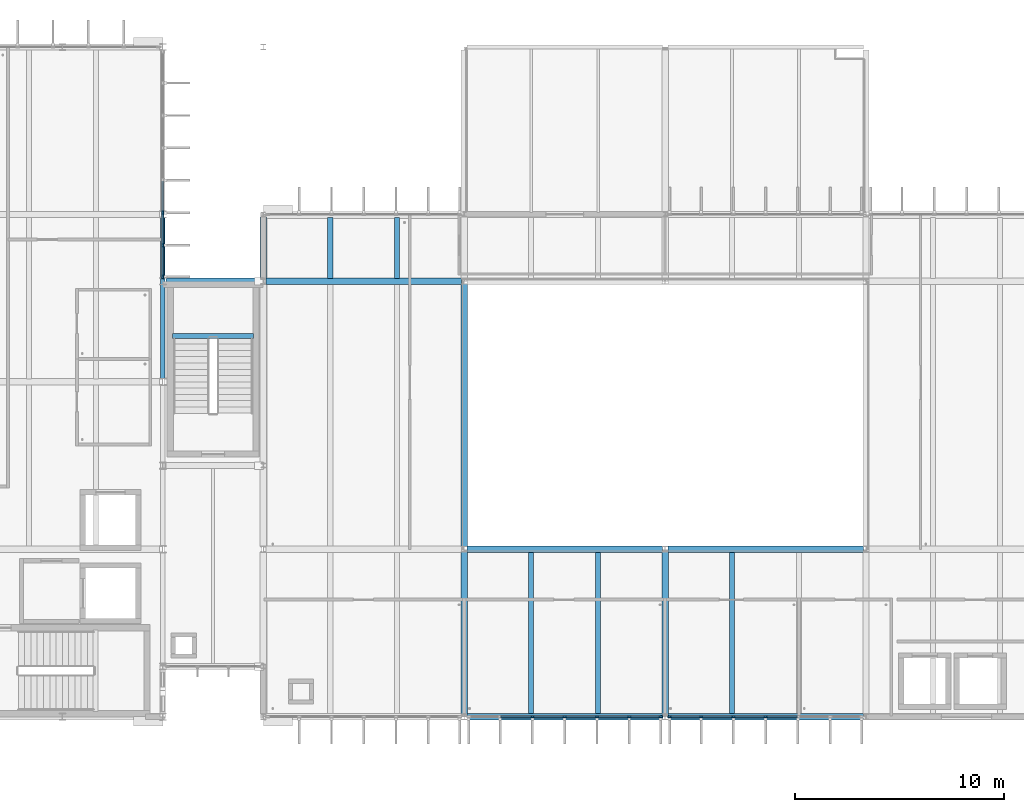
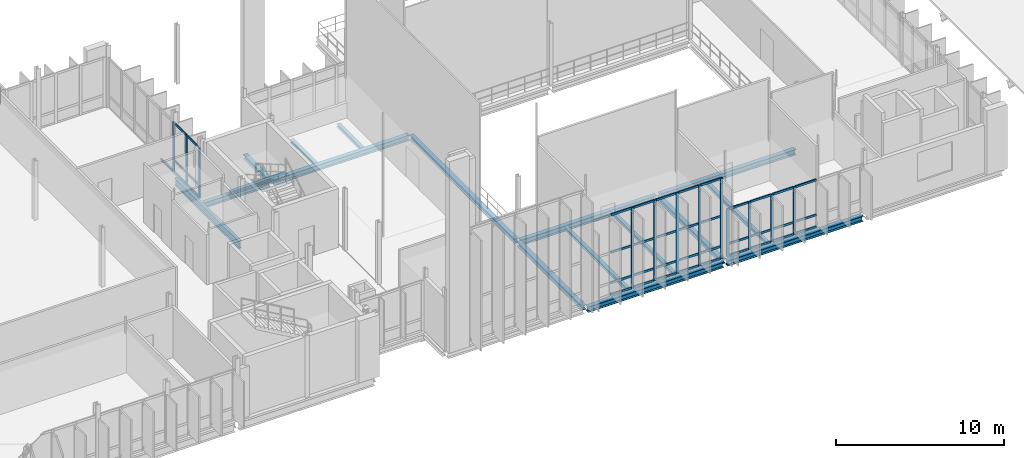
# One storey, part 11 of 41: 51 members, 17 beams, 3 elements without a shape of their own.
"""IFC4 building model written with IfcOpenShell, lengths in metres."""

from ifc_helpers import new_model, si_unit, direction, frame, origin, origin_2d, place, context, subcontext, project, spatial, rectangle, i_section, extrude, material, material_profile, profile_set, type_object, element, aggregate, save


model = new_model("IFC4")

# Units and contexts
model_context = context("Model", 3, precision=1e-05, world=origin(), true_north=direction((0.0, 1.0)))
body_context = subcontext(model_context, "Body", "Model", "MODEL_VIEW")
ifc_project = project(units=[si_unit("LENGTHUNIT", "METRE"), si_unit("AREAUNIT", "SQUARE_METRE"), si_unit("VOLUMEUNIT", "CUBIC_METRE"), si_unit("PLANEANGLEUNIT", "RADIAN"), si_unit("MASSUNIT", "GRAM", prefix="KILO")], contexts=[model_context])

# Site, building, storey
site_placement = place(None, origin())
site = spatial("IfcSite", under=ifc_project, at=site_placement, CompositionType="ELEMENT")
building_placement = place(site_placement, origin())
building = spatial("IfcBuilding", under=site, at=building_placement, Name="Dunescarp Central Library", CompositionType="ELEMENT")
storey_placement = place(building_placement, frame((0.0, 0.0, 23.10009765625)))
storey = spatial("IfcBuildingStorey", under=building, at=storey_placement, Name="L05", CompositionType="ELEMENT", Elevation=23.10009765625)

# Curtain wall, members
ifc_material_1 = material(Name="Marine-grade anodised aluminium 6063-T6", Category="aluminium")
curtain_wall_type = type_object("IfcCurtainWallType", Name="ARC-CW-STICK", PredefinedType="NOTDEFINED", material=ifc_material_1)
curtain_wall_1_placement = place(storey_placement, origin())
curtain_wall_1 = element("IfcCurtainWall", 1, at=curtain_wall_1_placement, inside=storey, type_object=curtain_wall_type, Name="L05 curtain wall CW-V1-037", PredefinedType="NOTDEFINED")
ifc_material_profile_1 = material_profile(ifc_material_1, rectangle(XDim=0.080078125, YDim=0.179931640625, at=origin_2d()), Name="AL 80x180")
ifc_profile_set_1 = profile_set([ifc_material_profile_1], Name="Marine-grade anodised aluminium 6063-T6")
member_type_1 = type_object("IfcMemberType", Name="ARC-CWM-180", PredefinedType="MULLION", material=ifc_profile_set_1)
member_1_placement = place(storey_placement, frame((33.60009765625, 28.875, 0.0), z_axis=(0.0, 0.0, 1.0), x_axis=(1.0, 0.0, 0.0)))
member_1 = element("IfcMember", 2, at=member_1_placement, type_object=member_type_1, Name="CW-V1-037 mullion 6", PredefinedType="MULLION", context=body_context, shape_type="SweptSolid", body=[
    extrude(rectangle(XDim=0.080078125, YDim=0.179931640625, at=origin_2d()), origin(), (0.0, 0.0, 1.0), 3.65283203125),
])
member_2_placement = place(storey_placement, frame((33.60009765625, 27.324951171875, 0.0), z_axis=(0.0, 0.0, 1.0), x_axis=(1.0, 0.0, 0.0)))
member_2 = element("IfcMember", 3, at=member_2_placement, type_object=member_type_1, Name="CW-V1-037 mullion 7", PredefinedType="MULLION", context=body_context, shape_type="SweptSolid", body=[
    extrude(rectangle(XDim=0.080078125, YDim=0.179931640625, at=origin_2d()), origin(), (0.0, 0.0, 1.0), 3.65283203125),
])
member_3_placement = place(storey_placement, frame((33.60009765625, 25.81494140625, 0.0), z_axis=(0.0, 0.0, 1.0), x_axis=(1.0, 0.0, 0.0)))
member_3 = element("IfcMember", 4, at=member_3_placement, type_object=member_type_1, Name="CW-V1-037 mullion 8", PredefinedType="MULLION", context=body_context, shape_type="SweptSolid", body=[
    extrude(rectangle(XDim=0.080078125, YDim=0.179931640625, at=origin_2d()), origin(), (0.0, 0.0, 1.0), 3.65283203125),
])

curtain_wall_2_placement = place(storey_placement, origin())
curtain_wall_2 = element("IfcCurtainWall", 5, at=curtain_wall_2_placement, inside=storey, type_object=curtain_wall_type, Name="L05 curtain wall CW-V2-075", PredefinedType="NOTDEFINED")
member_4_placement = place(storey_placement, frame((57.385009765625, 4.800048828125, 0.0), z_axis=(0.0, 0.0, 1.0), x_axis=(0.0, -1.0, 0.0)))
member_4 = element("IfcMember", 6, at=member_4_placement, type_object=member_type_1, Name="CW-V2-075 mullion 1", PredefinedType="MULLION", context=body_context, shape_type="SweptSolid", body=[
    extrude(rectangle(XDim=0.080078125, YDim=0.179931640625, at=origin_2d()), origin(), (0.0, 0.0, 1.0), 5.872802734375),
])
member_5_placement = place(storey_placement, frame((55.88330078125, 4.800048828125, 0.0), z_axis=(0.0, 0.0, 1.0), x_axis=(0.0, -1.0, 0.0)))
member_5 = element("IfcMember", 7, at=member_5_placement, type_object=member_type_1, Name="CW-V2-075 mullion 2", PredefinedType="MULLION", context=body_context, shape_type="SweptSolid", body=[
    extrude(rectangle(XDim=0.080078125, YDim=0.179931640625, at=origin_2d()), origin(), (0.0, 0.0, 1.0), 5.872802734375),
])
member_6_placement = place(storey_placement, frame((54.341552734375, 4.800048828125, 0.0), z_axis=(0.0, 0.0, 1.0), x_axis=(0.0, -1.0, 0.0)))
member_6 = element("IfcMember", 8, at=member_6_placement, type_object=member_type_1, Name="CW-V2-075 mullion 3", PredefinedType="MULLION", context=body_context, shape_type="SweptSolid", body=[
    extrude(rectangle(XDim=0.080078125, YDim=0.179931640625, at=origin_2d()), origin(), (0.0, 0.0, 1.0), 5.872802734375),
])
member_7_placement = place(storey_placement, frame((52.800048828125, 4.800048828125, 0.0), z_axis=(0.0, 0.0, 1.0), x_axis=(0.0, -1.0, 0.0)))
member_7 = element("IfcMember", 9, at=member_7_placement, type_object=member_type_1, Name="CW-V2-075 mullion 4", PredefinedType="MULLION", context=body_context, shape_type="SweptSolid", body=[
    extrude(rectangle(XDim=0.080078125, YDim=0.179931640625, at=origin_2d()), origin(), (0.0, 0.0, 1.0), 5.872802734375),
])
member_8_placement = place(storey_placement, frame((51.25830078125, 4.800048828125, 0.0), z_axis=(0.0, 0.0, 1.0), x_axis=(0.0, -1.0, 0.0)))
member_8 = element("IfcMember", 10, at=member_8_placement, type_object=member_type_1, Name="CW-V2-075 mullion 5", PredefinedType="MULLION", context=body_context, shape_type="SweptSolid", body=[
    extrude(rectangle(XDim=0.080078125, YDim=0.179931640625, at=origin_2d()), origin(), (0.0, 0.0, 1.0), 5.872802734375),
])

curtain_wall_3_placement = place(storey_placement, origin())
curtain_wall_3 = element("IfcCurtainWall", 11, at=curtain_wall_3_placement, inside=storey, type_object=curtain_wall_type, Name="L05 curtain wall CW-V2-076", PredefinedType="NOTDEFINED")
member_9_placement = place(storey_placement, frame((62.39990234375, 4.800048828125, 0.0), z_axis=(0.0, 0.0, 1.0), x_axis=(0.0, -1.0, 0.0)))
member_9 = element("IfcMember", 12, at=member_9_placement, type_object=member_type_1, Name="CW-V2-076 mullion 4", PredefinedType="MULLION", context=body_context, shape_type="SweptSolid", body=[
    extrude(rectangle(XDim=0.080078125, YDim=0.179931640625, at=origin_2d()), origin(), (0.0, 0.0, 1.0), 3.472900390625),
])
member_10_placement = place(storey_placement, frame((60.8583984375, 4.800048828125, 0.0), z_axis=(0.0, 0.0, 1.0), x_axis=(0.0, -1.0, 0.0)))
member_10 = element("IfcMember", 13, at=member_10_placement, type_object=member_type_1, Name="CW-V2-076 mullion 5", PredefinedType="MULLION", context=body_context, shape_type="SweptSolid", body=[
    extrude(rectangle(XDim=0.080078125, YDim=0.179931640625, at=origin_2d()), origin(), (0.0, 0.0, 1.0), 3.472900390625),
])
member_11_placement = place(storey_placement, frame((59.316650390625, 4.800048828125, 0.0), z_axis=(0.0, 0.0, 1.0), x_axis=(0.0, -1.0, 0.0)))
member_11 = element("IfcMember", 14, at=member_11_placement, type_object=member_type_1, Name="CW-V2-076 mullion 6", PredefinedType="MULLION", context=body_context, shape_type="SweptSolid", body=[
    extrude(rectangle(XDim=0.080078125, YDim=0.179931640625, at=origin_2d()), origin(), (0.0, 0.0, 1.0), 3.472900390625),
])
member_12_placement = place(storey_placement, frame((57.81494140625, 4.800048828125, 0.0), z_axis=(0.0, 0.0, 1.0), x_axis=(0.0, -1.0, 0.0)))
member_12 = element("IfcMember", 15, at=member_12_placement, type_object=member_type_1, Name="CW-V2-076 mullion 7", PredefinedType="MULLION", context=body_context, shape_type="SweptSolid", body=[
    extrude(rectangle(XDim=0.080078125, YDim=0.179931640625, at=origin_2d()), origin(), (0.0, 0.0, 1.0), 3.472900390625),
])

# Member
ifc_material_profile_2 = material_profile(ifc_material_1, rectangle(XDim=0.080078125, YDim=0.14990234375, at=origin_2d()), Name="AL 80x150")
ifc_profile_set_2 = profile_set([ifc_material_profile_2], Name="Marine-grade anodised aluminium 6063-T6")
member_type_2 = type_object("IfcMemberType", Name="ARC-CWT-150", PredefinedType="USERDEFINED", material=ifc_profile_set_2)
member_13_placement = place(storey_placement, frame((33.60009765625, 30.385009765625, 0.039794921875), z_axis=(0.0, -1.0, 0.0), x_axis=(1.0, 0.0, 0.0)))
member_13 = element("IfcMember", 16, at=member_13_placement, type_object=member_type_2, Name="CW-V1-037 transom 5.1", ObjectType="TRANSOM", PredefinedType="USERDEFINED", context=body_context, shape_type="SweptSolid", body=[
    extrude(rectangle(XDim=0.080078125, YDim=0.14990234375, at=origin_2d()), origin(), (0.0, 0.0, 1.0), 1.469970703125),
])

member_14_placement = place(storey_placement, frame((33.60009765625, 28.8349609375, 0.039794921875), z_axis=(0.0, -1.0, 0.0), x_axis=(1.0, 0.0, 0.0)))
member_14 = element("IfcMember", 17, at=member_14_placement, type_object=member_type_2, Name="CW-V1-037 transom 6.1", ObjectType="TRANSOM", PredefinedType="USERDEFINED", context=body_context, shape_type="SweptSolid", body=[
    extrude(rectangle(XDim=0.080078125, YDim=0.14990234375, at=origin_2d()), origin(), (0.0, 0.0, 1.0), 1.469970703125),
])

member_15_placement = place(storey_placement, frame((33.60009765625, 28.8349609375, 0.89990234375), z_axis=(0.0, -1.0, 0.0), x_axis=(1.0, 0.0, 0.0)))
member_15 = element("IfcMember", 18, at=member_15_placement, type_object=member_type_2, Name="CW-V1-037 transom 6.2", ObjectType="TRANSOM", PredefinedType="USERDEFINED", context=body_context, shape_type="SweptSolid", body=[
    extrude(rectangle(XDim=0.080078125, YDim=0.14990234375, at=origin_2d()), origin(), (0.0, 0.0, 1.0), 1.469970703125),
])

member_16_placement = place(storey_placement, frame((33.60009765625, 28.8349609375, 3.61279296875), z_axis=(0.0, -1.0, 0.0), x_axis=(1.0, 0.0, 0.0)))
member_16 = element("IfcMember", 19, at=member_16_placement, type_object=member_type_2, Name="CW-V1-037 transom 6.3", ObjectType="TRANSOM", PredefinedType="USERDEFINED", context=body_context, shape_type="SweptSolid", body=[
    extrude(rectangle(XDim=0.080078125, YDim=0.14990234375, at=origin_2d()), origin(), (0.0, 0.0, 1.0), 1.469970703125),
])

member_17_placement = place(storey_placement, frame((33.60009765625, 27.284912109375, 0.039794921875), z_axis=(0.0, -1.0, 0.0), x_axis=(1.0, 0.0, 0.0)))
member_17 = element("IfcMember", 20, at=member_17_placement, type_object=member_type_2, Name="CW-V1-037 transom 7.1", ObjectType="TRANSOM", PredefinedType="USERDEFINED", context=body_context, shape_type="SweptSolid", body=[
    extrude(rectangle(XDim=0.080078125, YDim=0.14990234375, at=origin_2d()), origin(), (0.0, 0.0, 1.0), 1.429931640625),
])

member_18_placement = place(storey_placement, frame((33.60009765625, 27.284912109375, 0.89990234375), z_axis=(0.0, -1.0, 0.0), x_axis=(1.0, 0.0, 0.0)))
member_18 = element("IfcMember", 21, at=member_18_placement, type_object=member_type_2, Name="CW-V1-037 transom 7.2", ObjectType="TRANSOM", PredefinedType="USERDEFINED", context=body_context, shape_type="SweptSolid", body=[
    extrude(rectangle(XDim=0.080078125, YDim=0.14990234375, at=origin_2d()), origin(), (0.0, 0.0, 1.0), 1.429931640625),
])

member_19_placement = place(storey_placement, frame((33.60009765625, 27.284912109375, 3.61279296875), z_axis=(0.0, -1.0, 0.0), x_axis=(1.0, 0.0, 0.0)))
member_19 = element("IfcMember", 22, at=member_19_placement, type_object=member_type_2, Name="CW-V1-037 transom 7.3", ObjectType="TRANSOM", PredefinedType="USERDEFINED", context=body_context, shape_type="SweptSolid", body=[
    extrude(rectangle(XDim=0.080078125, YDim=0.14990234375, at=origin_2d()), origin(), (0.0, 0.0, 1.0), 1.429931640625),
])

aggregate(curtain_wall_1, [member_1, member_2, member_3, member_13, member_14, member_15, member_16, member_17, member_18, member_19])

member_20_placement = place(storey_placement, frame((57.344970703125, 4.800048828125, 0.039794921875), z_axis=(-1.0, 0.0, 0.0), x_axis=(0.0, -1.0, 0.0)))
member_20 = element("IfcMember", 23, at=member_20_placement, type_object=member_type_2, Name="CW-V2-075 transom 1.1", ObjectType="TRANSOM", PredefinedType="USERDEFINED", context=body_context, shape_type="SweptSolid", body=[
    extrude(rectangle(XDim=0.080078125, YDim=0.14990234375, at=origin_2d()), origin(), (0.0, 0.0, 1.0), 1.421630859375),
])

member_21_placement = place(storey_placement, frame((57.344970703125, 4.800048828125, 0.89990234375), z_axis=(-1.0, 0.0, 0.0), x_axis=(0.0, -1.0, 0.0)))
member_21 = element("IfcMember", 24, at=member_21_placement, type_object=member_type_2, Name="CW-V2-075 transom 1.2", ObjectType="TRANSOM", PredefinedType="USERDEFINED", context=body_context, shape_type="SweptSolid", body=[
    extrude(rectangle(XDim=0.080078125, YDim=0.14990234375, at=origin_2d()), origin(), (0.0, 0.0, 1.0), 1.421630859375),
])

member_22_placement = place(storey_placement, frame((57.344970703125, 4.800048828125, 3.099853515625), z_axis=(-1.0, 0.0, 0.0), x_axis=(0.0, -1.0, 0.0)))
member_22 = element("IfcMember", 25, at=member_22_placement, type_object=member_type_2, Name="CW-V2-075 transom 1.3", ObjectType="TRANSOM", PredefinedType="USERDEFINED", context=body_context, shape_type="SweptSolid", body=[
    extrude(rectangle(XDim=0.080078125, YDim=0.14990234375, at=origin_2d()), origin(), (0.0, 0.0, 1.0), 1.421630859375),
])

member_23_placement = place(storey_placement, frame((57.344970703125, 4.800048828125, 5.8330078125), z_axis=(-1.0, 0.0, 0.0), x_axis=(0.0, -1.0, 0.0)))
member_23 = element("IfcMember", 26, at=member_23_placement, type_object=member_type_2, Name="CW-V2-075 transom 1.4", ObjectType="TRANSOM", PredefinedType="USERDEFINED", context=body_context, shape_type="SweptSolid", body=[
    extrude(rectangle(XDim=0.080078125, YDim=0.14990234375, at=origin_2d()), origin(), (0.0, 0.0, 1.0), 1.421630859375),
])

member_24_placement = place(storey_placement, frame((55.84326171875, 4.800048828125, 0.039794921875), z_axis=(-1.0, 0.0, 0.0), x_axis=(0.0, -1.0, 0.0)))
member_24 = element("IfcMember", 27, at=member_24_placement, type_object=member_type_2, Name="CW-V2-075 transom 2.1", ObjectType="TRANSOM", PredefinedType="USERDEFINED", context=body_context, shape_type="SweptSolid", body=[
    extrude(rectangle(XDim=0.080078125, YDim=0.14990234375, at=origin_2d()), origin(), (0.0, 0.0, 1.0), 1.461669921875),
])

member_25_placement = place(storey_placement, frame((55.84326171875, 4.800048828125, 0.89990234375), z_axis=(-1.0, 0.0, 0.0), x_axis=(0.0, -1.0, 0.0)))
member_25 = element("IfcMember", 28, at=member_25_placement, type_object=member_type_2, Name="CW-V2-075 transom 2.2", ObjectType="TRANSOM", PredefinedType="USERDEFINED", context=body_context, shape_type="SweptSolid", body=[
    extrude(rectangle(XDim=0.080078125, YDim=0.14990234375, at=origin_2d()), origin(), (0.0, 0.0, 1.0), 1.461669921875),
])

member_26_placement = place(storey_placement, frame((55.84326171875, 4.800048828125, 3.099853515625), z_axis=(-1.0, 0.0, 0.0), x_axis=(0.0, -1.0, 0.0)))
member_26 = element("IfcMember", 29, at=member_26_placement, type_object=member_type_2, Name="CW-V2-075 transom 2.3", ObjectType="TRANSOM", PredefinedType="USERDEFINED", context=body_context, shape_type="SweptSolid", body=[
    extrude(rectangle(XDim=0.080078125, YDim=0.14990234375, at=origin_2d()), origin(), (0.0, 0.0, 1.0), 1.461669921875),
])

member_27_placement = place(storey_placement, frame((55.84326171875, 4.800048828125, 5.8330078125), z_axis=(-1.0, 0.0, 0.0), x_axis=(0.0, -1.0, 0.0)))
member_27 = element("IfcMember", 30, at=member_27_placement, type_object=member_type_2, Name="CW-V2-075 transom 2.4", ObjectType="TRANSOM", PredefinedType="USERDEFINED", context=body_context, shape_type="SweptSolid", body=[
    extrude(rectangle(XDim=0.080078125, YDim=0.14990234375, at=origin_2d()), origin(), (0.0, 0.0, 1.0), 1.461669921875),
])

member_28_placement = place(storey_placement, frame((54.3017578125, 4.800048828125, 0.039794921875), z_axis=(-1.0, 0.0, 0.0), x_axis=(0.0, -1.0, 0.0)))
member_28 = element("IfcMember", 31, at=member_28_placement, type_object=member_type_2, Name="CW-V2-075 transom 3.1", ObjectType="TRANSOM", PredefinedType="USERDEFINED", context=body_context, shape_type="SweptSolid", body=[
    extrude(rectangle(XDim=0.080078125, YDim=0.14990234375, at=origin_2d()), origin(), (0.0, 0.0, 1.0), 1.461669921875),
])

member_29_placement = place(storey_placement, frame((54.3017578125, 4.800048828125, 0.89990234375), z_axis=(-1.0, 0.0, 0.0), x_axis=(0.0, -1.0, 0.0)))
member_29 = element("IfcMember", 32, at=member_29_placement, type_object=member_type_2, Name="CW-V2-075 transom 3.2", ObjectType="TRANSOM", PredefinedType="USERDEFINED", context=body_context, shape_type="SweptSolid", body=[
    extrude(rectangle(XDim=0.080078125, YDim=0.14990234375, at=origin_2d()), origin(), (0.0, 0.0, 1.0), 1.461669921875),
])

member_30_placement = place(storey_placement, frame((54.3017578125, 4.800048828125, 3.099853515625), z_axis=(-1.0, 0.0, 0.0), x_axis=(0.0, -1.0, 0.0)))
member_30 = element("IfcMember", 33, at=member_30_placement, type_object=member_type_2, Name="CW-V2-075 transom 3.3", ObjectType="TRANSOM", PredefinedType="USERDEFINED", context=body_context, shape_type="SweptSolid", body=[
    extrude(rectangle(XDim=0.080078125, YDim=0.14990234375, at=origin_2d()), origin(), (0.0, 0.0, 1.0), 1.461669921875),
])

member_31_placement = place(storey_placement, frame((54.3017578125, 4.800048828125, 5.8330078125), z_axis=(-1.0, 0.0, 0.0), x_axis=(0.0, -1.0, 0.0)))
member_31 = element("IfcMember", 34, at=member_31_placement, type_object=member_type_2, Name="CW-V2-075 transom 3.4", ObjectType="TRANSOM", PredefinedType="USERDEFINED", context=body_context, shape_type="SweptSolid", body=[
    extrude(rectangle(XDim=0.080078125, YDim=0.14990234375, at=origin_2d()), origin(), (0.0, 0.0, 1.0), 1.461669921875),
])

member_32_placement = place(storey_placement, frame((52.760009765625, 4.800048828125, 0.039794921875), z_axis=(-1.0, 0.0, 0.0), x_axis=(0.0, -1.0, 0.0)))
member_32 = element("IfcMember", 35, at=member_32_placement, type_object=member_type_2, Name="CW-V2-075 transom 4.1", ObjectType="TRANSOM", PredefinedType="USERDEFINED", context=body_context, shape_type="SweptSolid", body=[
    extrude(rectangle(XDim=0.080078125, YDim=0.14990234375, at=origin_2d()), origin(), (0.0, 0.0, 1.0), 1.461669921875),
])

member_33_placement = place(storey_placement, frame((52.760009765625, 4.800048828125, 0.89990234375), z_axis=(-1.0, 0.0, 0.0), x_axis=(0.0, -1.0, 0.0)))
member_33 = element("IfcMember", 36, at=member_33_placement, type_object=member_type_2, Name="CW-V2-075 transom 4.2", ObjectType="TRANSOM", PredefinedType="USERDEFINED", context=body_context, shape_type="SweptSolid", body=[
    extrude(rectangle(XDim=0.080078125, YDim=0.14990234375, at=origin_2d()), origin(), (0.0, 0.0, 1.0), 1.461669921875),
])

member_34_placement = place(storey_placement, frame((52.760009765625, 4.800048828125, 3.099853515625), z_axis=(-1.0, 0.0, 0.0), x_axis=(0.0, -1.0, 0.0)))
member_34 = element("IfcMember", 37, at=member_34_placement, type_object=member_type_2, Name="CW-V2-075 transom 4.3", ObjectType="TRANSOM", PredefinedType="USERDEFINED", context=body_context, shape_type="SweptSolid", body=[
    extrude(rectangle(XDim=0.080078125, YDim=0.14990234375, at=origin_2d()), origin(), (0.0, 0.0, 1.0), 1.461669921875),
])

member_35_placement = place(storey_placement, frame((52.760009765625, 4.800048828125, 5.8330078125), z_axis=(-1.0, 0.0, 0.0), x_axis=(0.0, -1.0, 0.0)))
member_35 = element("IfcMember", 38, at=member_35_placement, type_object=member_type_2, Name="CW-V2-075 transom 4.4", ObjectType="TRANSOM", PredefinedType="USERDEFINED", context=body_context, shape_type="SweptSolid", body=[
    extrude(rectangle(XDim=0.080078125, YDim=0.14990234375, at=origin_2d()), origin(), (0.0, 0.0, 1.0), 1.461669921875),
])

member_36_placement = place(storey_placement, frame((51.21826171875, 4.800048828125, 0.039794921875), z_axis=(-1.0, 0.0, 0.0), x_axis=(0.0, -1.0, 0.0)))
member_36 = element("IfcMember", 39, at=member_36_placement, type_object=member_type_2, Name="CW-V2-075 transom 5.1", ObjectType="TRANSOM", PredefinedType="USERDEFINED", context=body_context, shape_type="SweptSolid", body=[
    extrude(rectangle(XDim=0.080078125, YDim=0.14990234375, at=origin_2d()), origin(), (0.0, 0.0, 1.0), 1.461669921875),
])

member_37_placement = place(storey_placement, frame((51.21826171875, 4.800048828125, 0.89990234375), z_axis=(-1.0, 0.0, 0.0), x_axis=(0.0, -1.0, 0.0)))
member_37 = element("IfcMember", 40, at=member_37_placement, type_object=member_type_2, Name="CW-V2-075 transom 5.2", ObjectType="TRANSOM", PredefinedType="USERDEFINED", context=body_context, shape_type="SweptSolid", body=[
    extrude(rectangle(XDim=0.080078125, YDim=0.14990234375, at=origin_2d()), origin(), (0.0, 0.0, 1.0), 1.461669921875),
])

member_38_placement = place(storey_placement, frame((51.21826171875, 4.800048828125, 3.099853515625), z_axis=(-1.0, 0.0, 0.0), x_axis=(0.0, -1.0, 0.0)))
member_38 = element("IfcMember", 41, at=member_38_placement, type_object=member_type_2, Name="CW-V2-075 transom 5.3", ObjectType="TRANSOM", PredefinedType="USERDEFINED", context=body_context, shape_type="SweptSolid", body=[
    extrude(rectangle(XDim=0.080078125, YDim=0.14990234375, at=origin_2d()), origin(), (0.0, 0.0, 1.0), 1.461669921875),
])

member_39_placement = place(storey_placement, frame((51.21826171875, 4.800048828125, 5.8330078125), z_axis=(-1.0, 0.0, 0.0), x_axis=(0.0, -1.0, 0.0)))
member_39 = element("IfcMember", 42, at=member_39_placement, type_object=member_type_2, Name="CW-V2-075 transom 5.4", ObjectType="TRANSOM", PredefinedType="USERDEFINED", context=body_context, shape_type="SweptSolid", body=[
    extrude(rectangle(XDim=0.080078125, YDim=0.14990234375, at=origin_2d()), origin(), (0.0, 0.0, 1.0), 1.461669921875),
])

aggregate(curtain_wall_2, [member_4, member_5, member_6, member_7, member_8, member_20, member_21, member_22, member_23, member_24, member_25, member_26, member_27, member_28, member_29, member_30, member_31, member_32, member_33, member_34, member_35, member_36, member_37, member_38, member_39])

member_40_placement = place(storey_placement, frame((63.901611328125, 4.800048828125, 0.039794921875), z_axis=(-1.0, 0.0, 0.0), x_axis=(0.0, -1.0, 0.0)))
member_40 = element("IfcMember", 43, at=member_40_placement, type_object=member_type_2, Name="CW-V2-076 transom 3.1", ObjectType="TRANSOM", PredefinedType="USERDEFINED", context=body_context, shape_type="SweptSolid", body=[
    extrude(rectangle(XDim=0.080078125, YDim=0.14990234375, at=origin_2d()), origin(), (0.0, 0.0, 1.0), 1.461669921875),
])

member_41_placement = place(storey_placement, frame((63.901611328125, 4.800048828125, 0.89990234375), z_axis=(-1.0, 0.0, 0.0), x_axis=(0.0, -1.0, 0.0)))
member_41 = element("IfcMember", 44, at=member_41_placement, type_object=member_type_2, Name="CW-V2-076 transom 3.2", ObjectType="TRANSOM", PredefinedType="USERDEFINED", context=body_context, shape_type="SweptSolid", body=[
    extrude(rectangle(XDim=0.080078125, YDim=0.14990234375, at=origin_2d()), origin(), (0.0, 0.0, 1.0), 1.461669921875),
])

member_42_placement = place(storey_placement, frame((63.901611328125, 4.800048828125, 3.432861328125), z_axis=(-1.0, 0.0, 0.0), x_axis=(0.0, -1.0, 0.0)))
member_42 = element("IfcMember", 45, at=member_42_placement, type_object=member_type_2, Name="CW-V2-076 transom 3.3", ObjectType="TRANSOM", PredefinedType="USERDEFINED", context=body_context, shape_type="SweptSolid", body=[
    extrude(rectangle(XDim=0.080078125, YDim=0.14990234375, at=origin_2d()), origin(), (0.0, 0.0, 1.0), 1.461669921875),
])

member_43_placement = place(storey_placement, frame((62.360107421875, 4.800048828125, 0.039794921875), z_axis=(-1.0, 0.0, 0.0), x_axis=(0.0, -1.0, 0.0)))
member_43 = element("IfcMember", 46, at=member_43_placement, type_object=member_type_2, Name="CW-V2-076 transom 4.1", ObjectType="TRANSOM", PredefinedType="USERDEFINED", context=body_context, shape_type="SweptSolid", body=[
    extrude(rectangle(XDim=0.080078125, YDim=0.14990234375, at=origin_2d()), origin(), (0.0, 0.0, 1.0), 1.461669921875),
])

member_44_placement = place(storey_placement, frame((62.360107421875, 4.800048828125, 0.89990234375), z_axis=(-1.0, 0.0, 0.0), x_axis=(0.0, -1.0, 0.0)))
member_44 = element("IfcMember", 47, at=member_44_placement, type_object=member_type_2, Name="CW-V2-076 transom 4.2", ObjectType="TRANSOM", PredefinedType="USERDEFINED", context=body_context, shape_type="SweptSolid", body=[
    extrude(rectangle(XDim=0.080078125, YDim=0.14990234375, at=origin_2d()), origin(), (0.0, 0.0, 1.0), 1.461669921875),
])

member_45_placement = place(storey_placement, frame((62.360107421875, 4.800048828125, 3.432861328125), z_axis=(-1.0, 0.0, 0.0), x_axis=(0.0, -1.0, 0.0)))
member_45 = element("IfcMember", 48, at=member_45_placement, type_object=member_type_2, Name="CW-V2-076 transom 4.3", ObjectType="TRANSOM", PredefinedType="USERDEFINED", context=body_context, shape_type="SweptSolid", body=[
    extrude(rectangle(XDim=0.080078125, YDim=0.14990234375, at=origin_2d()), origin(), (0.0, 0.0, 1.0), 1.461669921875),
])

member_46_placement = place(storey_placement, frame((60.818359375, 4.800048828125, 0.039794921875), z_axis=(-1.0, 0.0, 0.0), x_axis=(0.0, -1.0, 0.0)))
member_46 = element("IfcMember", 49, at=member_46_placement, type_object=member_type_2, Name="CW-V2-076 transom 5.1", ObjectType="TRANSOM", PredefinedType="USERDEFINED", context=body_context, shape_type="SweptSolid", body=[
    extrude(rectangle(XDim=0.080078125, YDim=0.14990234375, at=origin_2d()), origin(), (0.0, 0.0, 1.0), 1.461669921875),
])

member_47_placement = place(storey_placement, frame((60.818359375, 4.800048828125, 0.89990234375), z_axis=(-1.0, 0.0, 0.0), x_axis=(0.0, -1.0, 0.0)))
member_47 = element("IfcMember", 50, at=member_47_placement, type_object=member_type_2, Name="CW-V2-076 transom 5.2", ObjectType="TRANSOM", PredefinedType="USERDEFINED", context=body_context, shape_type="SweptSolid", body=[
    extrude(rectangle(XDim=0.080078125, YDim=0.14990234375, at=origin_2d()), origin(), (0.0, 0.0, 1.0), 1.461669921875),
])

member_48_placement = place(storey_placement, frame((60.818359375, 4.800048828125, 3.432861328125), z_axis=(-1.0, 0.0, 0.0), x_axis=(0.0, -1.0, 0.0)))
member_48 = element("IfcMember", 51, at=member_48_placement, type_object=member_type_2, Name="CW-V2-076 transom 5.3", ObjectType="TRANSOM", PredefinedType="USERDEFINED", context=body_context, shape_type="SweptSolid", body=[
    extrude(rectangle(XDim=0.080078125, YDim=0.14990234375, at=origin_2d()), origin(), (0.0, 0.0, 1.0), 1.461669921875),
])

member_49_placement = place(storey_placement, frame((59.276611328125, 4.800048828125, 0.039794921875), z_axis=(-1.0, 0.0, 0.0), x_axis=(0.0, -1.0, 0.0)))
member_49 = element("IfcMember", 52, at=member_49_placement, type_object=member_type_2, Name="CW-V2-076 transom 6.1", ObjectType="TRANSOM", PredefinedType="USERDEFINED", context=body_context, shape_type="SweptSolid", body=[
    extrude(rectangle(XDim=0.080078125, YDim=0.14990234375, at=origin_2d()), origin(), (0.0, 0.0, 1.0), 1.421630859375),
])

member_50_placement = place(storey_placement, frame((59.276611328125, 4.800048828125, 0.89990234375), z_axis=(-1.0, 0.0, 0.0), x_axis=(0.0, -1.0, 0.0)))
member_50 = element("IfcMember", 53, at=member_50_placement, type_object=member_type_2, Name="CW-V2-076 transom 6.2", ObjectType="TRANSOM", PredefinedType="USERDEFINED", context=body_context, shape_type="SweptSolid", body=[
    extrude(rectangle(XDim=0.080078125, YDim=0.14990234375, at=origin_2d()), origin(), (0.0, 0.0, 1.0), 1.421630859375),
])

member_51_placement = place(storey_placement, frame((59.276611328125, 4.800048828125, 3.432861328125), z_axis=(-1.0, 0.0, 0.0), x_axis=(0.0, -1.0, 0.0)))
member_51 = element("IfcMember", 54, at=member_51_placement, type_object=member_type_2, Name="CW-V2-076 transom 6.3", ObjectType="TRANSOM", PredefinedType="USERDEFINED", context=body_context, shape_type="SweptSolid", body=[
    extrude(rectangle(XDim=0.080078125, YDim=0.14990234375, at=origin_2d()), origin(), (0.0, 0.0, 1.0), 1.421630859375),
])

aggregate(curtain_wall_3, [member_9, member_10, member_11, member_12, member_40, member_41, member_42, member_43, member_44, member_45, member_46, member_47, member_48, member_49, member_50, member_51])

# Beams
ifc_material_2 = material(Name="Steel S355JR", Category="steel")
ifc_material_profile_3 = material_profile(ifc_material_2, i_section(OverallWidth=0.300048828125, OverallDepth=0.330078125, WebThickness=0.009521484375, FlangeThickness=0.0166015625, at=origin_2d()), Name="HEA 340")
ifc_profile_set_3 = profile_set([ifc_material_profile_3], Name="Steel S355JR")
beam_type_1 = type_object("IfcBeamType", Name="STR-BM-HEA340", PredefinedType="BEAM", material=ifc_profile_set_3)
beam_1_placement = place(storey_placement, frame((48.0, 4.93505859375, -0.385009765625), z_axis=(0.0, 1.0, 0.0), x_axis=(-1.0, 0.0, 0.0)))
element("IfcBeam", 55, at=beam_1_placement, inside=storey, type_object=beam_type_1, Name="L05 girder BM-L05-0608", PredefinedType="BEAM", context=body_context, shape_type="SweptSolid", body=[
    extrude(i_section(OverallWidth=0.300048828125, OverallDepth=0.330078125, WebThickness=0.009521484375, FlangeThickness=0.0166015625, at=origin_2d()), origin(), (0.0, 0.0, 1.0), 7.72998046875),
])
beam_2_placement = place(storey_placement, frame((48.0, 12.93505859375, -0.385009765625), z_axis=(0.0, 1.0, 0.0), x_axis=(-1.0, 0.0, 0.0)))
element("IfcBeam", 56, at=beam_2_placement, inside=storey, type_object=beam_type_1, Name="L05 girder BM-L05-0613", PredefinedType="BEAM", context=body_context, shape_type="SweptSolid", body=[
    extrude(i_section(OverallWidth=0.300048828125, OverallDepth=0.330078125, WebThickness=0.009521484375, FlangeThickness=0.0166015625, at=origin_2d()), origin(), (0.0, 0.0, 1.0), 12.530029296875),
])
beam_3_placement = place(storey_placement, frame((38.39990234375, 25.735107421875, -0.385009765625), z_axis=(0.0, 1.0, 0.0), x_axis=(-1.0, 0.0, 0.0)))
element("IfcBeam", 57, at=beam_3_placement, inside=storey, type_object=beam_type_1, Name="L05 girder BM-L05-0617", PredefinedType="BEAM", context=body_context, shape_type="SweptSolid", body=[
    extrude(i_section(OverallWidth=0.300048828125, OverallDepth=0.330078125, WebThickness=0.009521484375, FlangeThickness=0.0166015625, at=origin_2d()), origin(), (0.0, 0.0, 1.0), 2.93798828125),
])
beam_4_placement = place(storey_placement, frame((57.60009765625, 4.93505859375, -0.385009765625), z_axis=(0.0, 1.0, 0.0), x_axis=(-1.0, 0.0, 0.0)))
element("IfcBeam", 58, at=beam_4_placement, inside=storey, type_object=beam_type_1, Name="L05 girder BM-L05-0623", PredefinedType="BEAM", context=body_context, shape_type="SweptSolid", body=[
    extrude(i_section(OverallWidth=0.300048828125, OverallDepth=0.330078125, WebThickness=0.009521484375, FlangeThickness=0.0166015625, at=origin_2d()), origin(), (0.0, 0.0, 1.0), 7.72998046875),
])
ifc_material_profile_4 = material_profile(ifc_material_2, i_section(OverallWidth=0.300048828125, OverallDepth=0.389892578125, WebThickness=0.010986328125, FlangeThickness=0.01904296875, at=origin_2d()), Name="HEA 400")
ifc_profile_set_4 = profile_set([ifc_material_profile_4], Name="Steel S355JR")
beam_type_2 = type_object("IfcBeamType", Name="STR-BM-HEA400", PredefinedType="BEAM", material=ifc_profile_set_4)
beam_5_placement = place(storey_placement, frame((33.7529296875, 25.60009765625, -0.4150390625), z_axis=(1.0, 0.0, 0.0), x_axis=(0.0, 1.0, 0.0)))
element("IfcBeam", 59, at=beam_5_placement, inside=storey, type_object=beam_type_2, Name="L05 girder BM-L05-1234", PredefinedType="BEAM", context=body_context, shape_type="SweptSolid", body=[
    extrude(i_section(OverallWidth=0.300048828125, OverallDepth=0.389892578125, WebThickness=0.010986328125, FlangeThickness=0.01904296875, at=origin_2d()), origin(), (0.0, 0.0, 1.0), 4.51904296875),
])
ifc_material_profile_5 = material_profile(ifc_material_2, i_section(OverallWidth=0.300048828125, OverallDepth=0.39990234375, WebThickness=0.013427734375, FlangeThickness=0.02392578125, at=origin_2d()), Name="HEB 400")
ifc_profile_set_5 = profile_set([ifc_material_profile_5], Name="Steel S355JR")
beam_type_3 = type_object("IfcBeamType", Name="STR-BM-HEB400", PredefinedType="BEAM", material=ifc_profile_set_5)
for number, where, z_axis, x_axis, name in (
    (60, (38.528076171875, 25.60009765625, -0.420166015625), (1.0, 0.0, 0.0), (0.0, 1.0, 0.0), "L05 girder BM-L05-0611"),
    (61, (48.1279296875, 4.800048828125, -0.420166015625), (1.0, 0.0, 0.0), (0.0, 1.0, 0.0), "L05 girder BM-L05-0621"),
    (62, (48.1279296875, 12.800048828125, -0.420166015625), (1.0, 0.0, 0.0), (0.0, 1.0, 0.0), "L05 girder BM-L05-0622"),
    (63, (57.72802734375, 4.800048828125, -0.420166015625), (1.0, 0.0, 0.0), (0.0, 1.0, 0.0), "L05 girder BM-L05-0631"),
    (64, (57.72802734375, 12.800048828125, -0.420166015625), (1.0, 0.0, 0.0), (0.0, 1.0, 0.0), "L05 girder BM-L05-0632"),
):
    element("IfcBeam", number, at=place(storey_placement, frame(where, z_axis=z_axis, x_axis=x_axis)), inside=storey, type_object=beam_type_3, Name=name, PredefinedType="BEAM", context=body_context, shape_type="SweptSolid", body=[
        extrude(i_section(OverallWidth=0.300048828125, OverallDepth=0.39990234375, WebThickness=0.013427734375, FlangeThickness=0.02392578125, at=origin_2d()), origin(), (0.0, 0.0, 1.0), 9.343994140625),
    ])
ifc_material_profile_6 = material_profile(ifc_material_2, i_section(OverallWidth=0.2119140625, OverallDepth=0.54443359375, WebThickness=0.0126953125, FlangeThickness=0.021240234375, at=origin_2d()), Name="UB 533x210x122")
ifc_profile_set_6 = profile_set([ifc_material_profile_6], Name="Steel S355JR")
beam_type_4 = type_object("IfcBeamType", Name="STR-BM-UB533X122", PredefinedType="BEAM", material=ifc_profile_set_6)
beam_6_placement = place(storey_placement, frame((33.60009765625, 20.9609375, -0.4921875), z_axis=(0.0, 1.0, 0.0), x_axis=(-1.0, 0.0, 0.0)))
element("IfcBeam", 65, at=beam_6_placement, inside=storey, type_object=beam_type_4, Name="L05 girder BM-L05-0269", PredefinedType="BEAM", context=body_context, shape_type="SweptSolid", body=[
    extrude(i_section(OverallWidth=0.2119140625, OverallDepth=0.54443359375, WebThickness=0.0126953125, FlangeThickness=0.021240234375, at=origin_2d()), origin(), (0.0, 0.0, 1.0), 7.677978515625),
])
ifc_material_profile_7 = material_profile(ifc_material_2, i_section(OverallWidth=0.239990234375, OverallDepth=0.22998046875, WebThickness=0.007568359375, FlangeThickness=0.011962890625, at=origin_2d()), Name="HEA 240")
ifc_profile_set_7 = profile_set([ifc_material_profile_7], Name="Steel S355JR")
beam_type_5 = type_object("IfcBeamType", Name="STR-JS-HEA240", PredefinedType="JOIST", material=ifc_profile_set_7)
for number, where, z_axis, x_axis, name in (
    (66, (41.60009765625, 25.748046875, -0.335205078125), (0.0, 1.0, 0.0), (-1.0, 0.0, 0.0), "L05 joist JS-L05-0619"),
    (67, (44.800048828125, 25.748046875, -0.335205078125), (0.0, 1.0, 0.0), (-1.0, 0.0, 0.0), "L05 joist JS-L05-0620"),
):
    element("IfcBeam", number, at=place(storey_placement, frame(where, z_axis=z_axis, x_axis=x_axis)), inside=storey, type_object=beam_type_5, Name=name, PredefinedType="JOIST", context=body_context, shape_type="SweptSolid", body=[
        extrude(i_section(OverallWidth=0.239990234375, OverallDepth=0.22998046875, WebThickness=0.007568359375, FlangeThickness=0.011962890625, at=origin_2d()), origin(), (0.0, 0.0, 1.0), 2.904052734375),
    ])
for number, where, z_axis, x_axis, name in (
    (68, (51.199951171875, 4.947998046875, -0.335205078125), (0.0, 1.0, 0.0), (-1.0, 0.0, 0.0), "L05 joist JS-L05-0624"),
    (69, (54.39990234375, 4.947998046875, -0.335205078125), (0.0, 1.0, 0.0), (-1.0, 0.0, 0.0), "L05 joist JS-L05-0625"),
    (70, (60.800048828125, 4.947998046875, -0.335205078125), (0.0, 1.0, 0.0), (-1.0, 0.0, 0.0), "L05 joist JS-L05-0634"),
):
    element("IfcBeam", number, at=place(storey_placement, frame(where, z_axis=z_axis, x_axis=x_axis)), inside=storey, type_object=beam_type_5, Name=name, PredefinedType="JOIST", context=body_context, shape_type="SweptSolid", body=[
        extrude(i_section(OverallWidth=0.239990234375, OverallDepth=0.22998046875, WebThickness=0.007568359375, FlangeThickness=0.011962890625, at=origin_2d()), origin(), (0.0, 0.0, 1.0), 7.7041015625),
    ])
beam_7_placement = place(storey_placement, frame((34.06005859375, 22.97998046875, 1.934814453125), z_axis=(1.0, 0.0, 0.0), x_axis=(0.0, 1.0, 0.0)))
element("IfcBeam", 71, at=beam_7_placement, inside=storey, type_object=beam_type_5, Name="L05 ST-2 landing trimmer beam BM-ST-018", PredefinedType="BEAM", context=body_context, shape_type="SweptSolid", body=[
    extrude(i_section(OverallWidth=0.239990234375, OverallDepth=0.22998046875, WebThickness=0.007568359375, FlangeThickness=0.011962890625, at=origin_2d()), origin(), (0.0, 0.0, 1.0), 3.8798828125),
])

save(model, "model.ifc")
